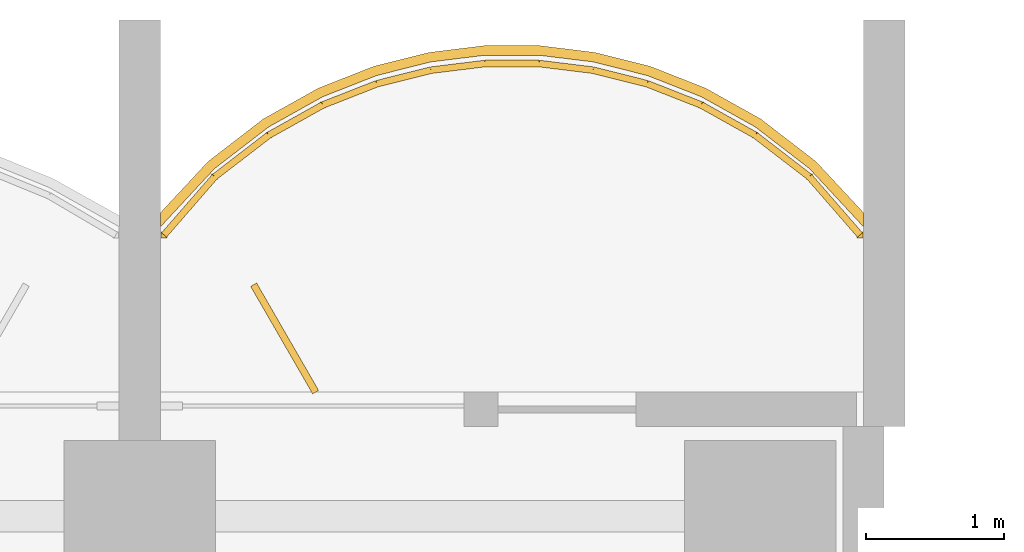
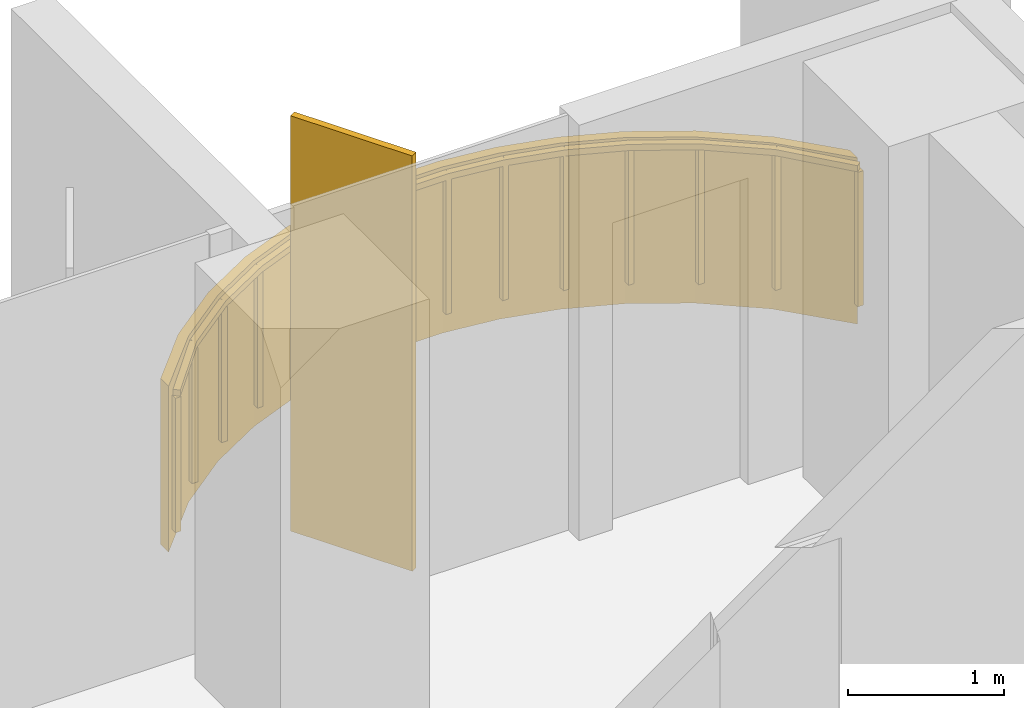
# One storey, part 19 of 19: 1 covering, 1 railing, 1 shading device.
"""IFC4 building model written with IfcOpenShell, lengths in metres."""

from ifc_helpers import new_model, si_unit, direction, frame, origin, origin_2d, place, context, subcontext, project, spatial, polyline, rectangle, outline, extrude, material, layer, layer_set, type_object, element, save


model = new_model("IFC4")

# Units and contexts
model_context = context("Model", 3, precision=1e-05, world=origin(), true_north=direction((0.0, 1.0)))
body_context = subcontext(model_context, "Body", "Model", "MODEL_VIEW")
ifc_project = project(units=[si_unit("LENGTHUNIT", "METRE"), si_unit("AREAUNIT", "SQUARE_METRE"), si_unit("VOLUMEUNIT", "CUBIC_METRE"), si_unit("PLANEANGLEUNIT", "RADIAN"), si_unit("MASSUNIT", "GRAM", prefix="KILO")], contexts=[model_context])

# Site, building, storey
site_placement = place(None, origin())
site = spatial("IfcSite", under=ifc_project, at=site_placement, CompositionType="ELEMENT")
building_placement = place(site_placement, origin())
building = spatial("IfcBuilding", under=site, at=building_placement, Name="Perihelion Cross Residences", CompositionType="ELEMENT")
storey_placement = place(building_placement, frame((0.0, 0.0, 105.89990234375)))
storey = spatial("IfcBuildingStorey", under=building, at=storey_placement, Name="L24", CompositionType="ELEMENT", Elevation=105.89990234375)

# Covering
ifc_material_1 = material(Name="Bronze anodised aluminium", Category="aluminium")
ifc_layer_1 = layer(ifc_material_1, 0.070068359375)
ifc_layer_set_1 = layer_set([ifc_layer_1], Name="Balcony fascia 1300")
covering_type = type_object("IfcCoveringType", Name="Balcony fascia 1300", PredefinedType="CLADDING", material=ifc_layer_set_1)
covering_placement = place(storey_placement, frame((0.0, 0.0, -0.199951171875)))
element("IfcCovering", 1, at=covering_placement, inside=storey, type_object=covering_type, Name="Fascia BF1 L24 north tip north bay 1", PredefinedType="CLADDING", context=body_context, shape_type="SweptSolid", body=[
    extrude(outline(polyline([(4.90478515625, 28.674072265625), (4.50390625, 28.982666015625), (4.10302734375, 29.20654296875), (3.7021484375, 29.364013671875), (3.30126953125, 29.464599609375), (2.900390625, 29.513916015625), (2.49951171875, 29.513916015625), (2.0986328125, 29.464599609375), (1.69775390625, 29.364013671875), (1.296875, 29.20654296875), (0.89599609375, 28.982666015625), (0.4951171875, 28.674072265625), (0.14990234375, 28.302734375), (0.14990234375, 28.199951171875), (0.542236328125, 28.622314453125), (0.9345703125, 28.924072265625), (1.326904296875, 29.143310546875), (1.71923828125, 29.29736328125), (2.111572265625, 29.39599609375), (2.50390625, 29.444091796875), (2.896240234375, 29.444091796875), (3.28857421875, 29.39599609375), (3.6806640625, 29.29736328125), (4.072998046875, 29.143310546875), (4.46533203125, 28.924072265625), (4.857666015625, 28.622314453125), (5.25, 28.199951171875), (5.25, 28.302734375), (4.90478515625, 28.674072265625)])), origin(), (0.0, 0.0, 1.0), 1.300048828125),
])

# Railing
ifc_material_2 = material(Name="Bronze anodised aluminium", Category="aluminium")
railing_type = type_object("IfcRailingType", Name="Balcony guard 1100", PredefinedType="GUARDRAIL", material=ifc_material_2)
railing_placement = place(storey_placement, frame((5.22509765625, 28.139892578125, 0.0)))
element("IfcRailing", 2, at=railing_placement, inside=storey, type_object=railing_type, Name="Guard GU1 L24 north tip north bay 1 balcony", PredefinedType="GUARDRAIL", context=body_context, shape_type="SweptSolid", body=[
    extrude(rectangle(XDim=0.048095703125, YDim=0.048095703125, at=origin_2d()), frame((0.0, 0.0, 1.076171875), z_axis=(-0.656340655493, 0.754464673757, 0.0), x_axis=(-0.754464673757, -0.656340655493, 0.0)), (0.0, 0.0, 1.0), 0.559814453125),
    extrude(rectangle(XDim=0.048095703125, YDim=0.048095703125, at=origin_2d()), frame((-0.367431640625, 0.42236328125, 1.076171875), z_axis=(-0.792660660899, 0.60966308455, 0.0), x_axis=(-0.60966308455, -0.792660660899, 0.0)), (0.0, 0.0, 1.0), 0.494873046875),
    extrude(rectangle(XDim=0.048095703125, YDim=0.048095703125, at=origin_2d()), frame((-0.759765625, 0.72412109375, 1.076171875), z_axis=(-0.872950285698, 0.487809182674, 0.0), x_axis=(-0.487809182674, -0.872950285698, 0.0)), (0.0, 0.0, 1.0), 0.449462890625),
    extrude(rectangle(XDim=0.048095703125, YDim=0.048095703125, at=origin_2d()), frame((-1.152099609375, 0.943359375, 1.076171875), z_axis=(-0.930814842219, 0.365491079925, 0.0), x_axis=(-0.365491079925, -0.930814842219, 0.0)), (0.0, 0.0, 1.0), 0.42138671875),
    extrude(rectangle(XDim=0.048095703125, YDim=0.048095703125, at=origin_2d()), frame((-1.54443359375, 1.097412109375, 1.076171875), z_axis=(-0.969786252666, 0.243956193074, 0.0), x_axis=(-0.243956193074, -0.969786252666, 0.0)), (0.0, 0.0, 1.0), 0.404296875),
    extrude(rectangle(XDim=0.048095703125, YDim=0.048095703125, at=origin_2d()), frame((-1.9365234375, 1.196044921875, 1.076171875), z_axis=(-0.992569651699, 0.121677797999, 0.0), x_axis=(-0.121677797999, -0.992569651699, 0.0)), (0.0, 0.0, 1.0), 0.395263671875),
    extrude(rectangle(XDim=0.048095703125, YDim=0.048095703125, at=origin_2d()), frame((-2.328857421875, 1.244140625, 1.076171875), z_axis=(-1.0, 0.0, 0.0), x_axis=(0.0, -1.0, 0.0)), (0.0, 0.0, 1.0), 0.392333984375),
    extrude(rectangle(XDim=0.048095703125, YDim=0.048095703125, at=origin_2d()), frame((-2.72119140625, 1.244140625, 1.076171875), z_axis=(-0.992569651699, -0.121677797999, 0.0), x_axis=(0.121677797999, -0.992569651699, 0.0)), (0.0, 0.0, 1.0), 0.395263671875),
    extrude(rectangle(XDim=0.048095703125, YDim=0.048095703125, at=origin_2d()), frame((-3.113525390625, 1.196044921875, 1.076171875), z_axis=(-0.969822159145, -0.243813411509, 0.0), x_axis=(0.243813411509, -0.969822159145, 0.0)), (0.0, 0.0, 1.0), 0.404541015625),
    extrude(rectangle(XDim=0.048095703125, YDim=0.048095703125, at=origin_2d()), frame((-3.505859375, 1.097412109375, 1.076171875), z_axis=(-0.930814842219, -0.365491079925, 0.0), x_axis=(0.365491079925, -0.930814842219, 0.0)), (0.0, 0.0, 1.0), 0.42138671875),
    extrude(rectangle(XDim=0.048095703125, YDim=0.048095703125, at=origin_2d()), frame((-3.898193359375, 0.943359375, 1.076171875), z_axis=(-0.872950285698, -0.487809182674, 0.0), x_axis=(0.487809182674, -0.872950285698, 0.0)), (0.0, 0.0, 1.0), 0.449462890625),
    extrude(rectangle(XDim=0.048095703125, YDim=0.048095703125, at=origin_2d()), frame((-4.29052734375, 0.72412109375, 1.076171875), z_axis=(-0.792660660899, -0.60966308455, 0.0), x_axis=(0.60966308455, -0.792660660899, 0.0)), (0.0, 0.0, 1.0), 0.494873046875),
    extrude(rectangle(XDim=0.048095703125, YDim=0.048095703125, at=origin_2d()), frame((-4.682861328125, 0.42236328125, 1.076171875), z_axis=(-0.656092309534, -0.754680648599, 0.0), x_axis=(0.754680648599, -0.656092309534, 0.0)), (0.0, 0.0, 1.0), 0.5595703125),
    extrude(rectangle(XDim=0.0419921875, YDim=0.0419921875, at=origin_2d()), origin(), (0.0, 0.0, 1.0), 1.052001953125),
    extrude(rectangle(XDim=0.0419921875, YDim=0.0419921875, at=origin_2d()), frame((-0.367431640625, 0.42236328125, 0.0)), (0.0, 0.0, 1.0), 1.052001953125),
    extrude(rectangle(XDim=0.0419921875, YDim=0.0419921875, at=origin_2d()), frame((-0.759765625, 0.72412109375, 0.0)), (0.0, 0.0, 1.0), 1.052001953125),
    extrude(rectangle(XDim=0.0419921875, YDim=0.0419921875, at=origin_2d()), frame((-1.152099609375, 0.943359375, 0.0)), (0.0, 0.0, 1.0), 1.052001953125),
    extrude(rectangle(XDim=0.0419921875, YDim=0.0419921875, at=origin_2d()), frame((-1.54443359375, 1.097412109375, 0.0)), (0.0, 0.0, 1.0), 1.052001953125),
    extrude(rectangle(XDim=0.0419921875, YDim=0.0419921875, at=origin_2d()), frame((-1.9365234375, 1.196044921875, 0.0)), (0.0, 0.0, 1.0), 1.052001953125),
    extrude(rectangle(XDim=0.0419921875, YDim=0.0419921875, at=origin_2d()), frame((-2.328857421875, 1.244140625, 0.0)), (0.0, 0.0, 1.0), 1.052001953125),
    extrude(rectangle(XDim=0.0419921875, YDim=0.0419921875, at=origin_2d()), frame((-2.72119140625, 1.244140625, 0.0)), (0.0, 0.0, 1.0), 1.052001953125),
    extrude(rectangle(XDim=0.0419921875, YDim=0.0419921875, at=origin_2d()), frame((-3.113525390625, 1.196044921875, 0.0)), (0.0, 0.0, 1.0), 1.052001953125),
    extrude(rectangle(XDim=0.0419921875, YDim=0.0419921875, at=origin_2d()), frame((-3.505859375, 1.097412109375, 0.0)), (0.0, 0.0, 1.0), 1.052001953125),
    extrude(rectangle(XDim=0.0419921875, YDim=0.0419921875, at=origin_2d()), frame((-3.898193359375, 0.943359375, 0.0)), (0.0, 0.0, 1.0), 1.052001953125),
    extrude(rectangle(XDim=0.0419921875, YDim=0.0419921875, at=origin_2d()), frame((-4.29052734375, 0.72412109375, 0.0)), (0.0, 0.0, 1.0), 1.052001953125),
    extrude(rectangle(XDim=0.0419921875, YDim=0.0419921875, at=origin_2d()), frame((-4.682861328125, 0.42236328125, 0.0)), (0.0, 0.0, 1.0), 1.052001953125),
    extrude(rectangle(XDim=0.0419921875, YDim=0.0419921875, at=origin_2d()), frame((-5.050048828125, 0.0, 0.0)), (0.0, 0.0, 1.0), 1.052001953125),
])

# Shading device
ifc_material_3 = material(Name="Bronze anodised aluminium", Category="aluminium")
ifc_layer_2 = layer(ifc_material_3, 0.050048828125)
ifc_layer_set_2 = layer_set([ifc_layer_2], Name="Bronze fin 900")
shading_device_type = type_object("IfcShadingDeviceType", Name="Bronze fin 900", PredefinedType="USERDEFINED", material=ifc_layer_set_2)
shading_device_placement = place(storey_placement, frame((1.050048828125, 27.3896484375, 0.0), z_axis=(0.0, 0.0, 1.0), x_axis=(-0.5, 0.866025403784, 0.0)))
element("IfcShadingDevice", 3, at=shading_device_placement, inside=storey, type_object=shading_device_type, Name="Fin FN1 L24 north tip north bay 1", ObjectType="FIN", PredefinedType="USERDEFINED", context=body_context, shape_type="SweptSolid", body=[
    extrude(rectangle(XDim=0.89990234375, YDim=0.050048828125, at=origin_2d()), origin(), (0.0, 0.0, 1.0), 3.25),
])

save(model, "model.ifc")
